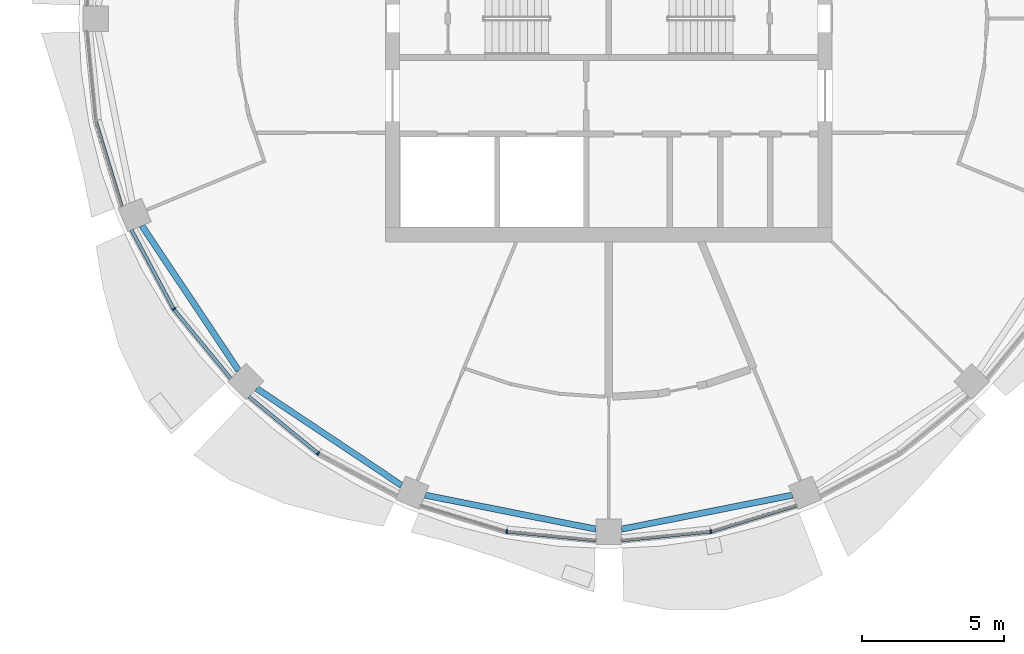
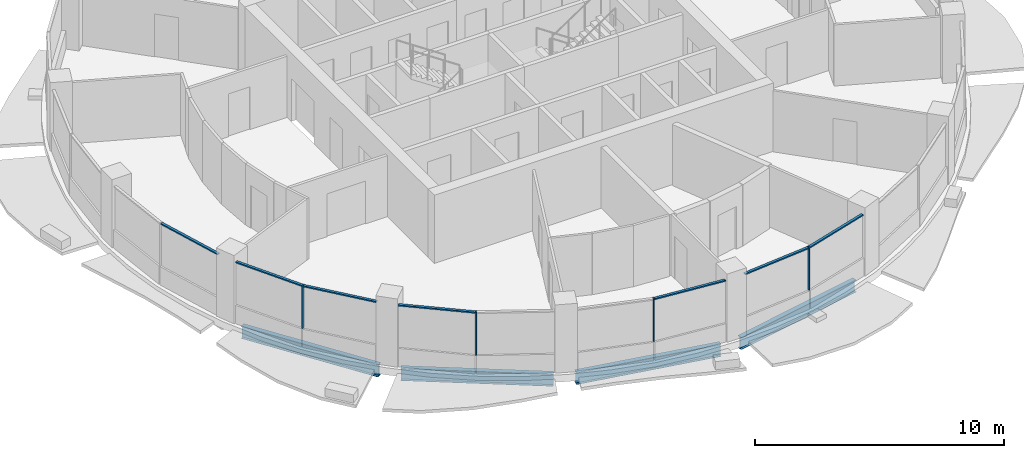
# One storey, part 2 of 15: 11 members, 4 beams, 5 elements without a shape of their own.
"""IFC4 building model written with IfcOpenShell, lengths in metres."""

from ifc_helpers import new_model, si_unit, direction, frame, origin, origin_2d, place, context, subcontext, project, spatial, rectangle, i_section, extrude, material, material_profile, profile_set, type_object, element, aggregate, save


model = new_model("IFC4")

# Units and contexts
model_context = context("Model", 3, precision=1e-05, world=origin(), true_north=direction((0.0, 1.0)))
body_context = subcontext(model_context, "Body", "Model", "MODEL_VIEW")
ifc_project = project(units=[si_unit("LENGTHUNIT", "METRE"), si_unit("AREAUNIT", "SQUARE_METRE"), si_unit("VOLUMEUNIT", "CUBIC_METRE"), si_unit("PLANEANGLEUNIT", "RADIAN"), si_unit("MASSUNIT", "GRAM", prefix="KILO")], contexts=[model_context])

# Site, building, storey
site_placement = place(None, origin())
site = spatial("IfcSite", under=ifc_project, at=site_placement, CompositionType="ELEMENT")
building_placement = place(site_placement, origin())
building = spatial("IfcBuilding", under=site, at=building_placement, Name="Polderwave Tower", CompositionType="ELEMENT")
storey_placement = place(building_placement, frame((0.0, 0.0, 167.550048828125)))
storey = spatial("IfcBuildingStorey", under=building, at=storey_placement, Name="L44", CompositionType="ELEMENT", Elevation=167.550048828125)

# Curtain wall, member
ifc_material_1 = material(Name="Aluminium 6063-T6 and glass", Category="aluminium")
curtain_wall_type = type_object("IfcCurtainWallType", Name="Office ribbon glazing wall", PredefinedType="NOTDEFINED", material=ifc_material_1)
curtain_wall_1_placement = place(storey_placement, origin())
curtain_wall_1 = element("IfcCurtainWall", 1, at=curtain_wall_1_placement, inside=storey, type_object=curtain_wall_type, Name="CW3 L44 09", PredefinedType="NOTDEFINED")
ifc_material_2 = material(Name="Aluminium 6063-T6", Category="aluminium")
ifc_material_profile_1 = material_profile(ifc_material_2, rectangle(XDim=0.139892578125, YDim=0.054931640625, at=origin_2d()), Name="AL 55x140")
ifc_profile_set_1 = profile_set([ifc_material_profile_1], Name="Aluminium 6063-T6")
member_type_1 = type_object("IfcMemberType", Name="Office ribbon glazing mullion 55x140", PredefinedType="MULLION", material=ifc_profile_set_1)
member_1_placement = place(storey_placement, frame((-15.341064453125, -10.25, 0.89990234375), z_axis=(0.0, 0.0, 1.0), x_axis=(0.831547176436, 0.555454132545, 0.0)))
member_1 = element("IfcMember", 2, at=member_1_placement, type_object=member_type_1, Name="CW3 mullion 1", PredefinedType="MULLION", context=body_context, shape_type="SweptSolid", body=[
    extrude(rectangle(XDim=0.139892578125, YDim=0.054931640625, at=origin_2d()), origin(), (0.0, 0.0, 1.0), 2.10009765625),
])

curtain_wall_2_placement = place(storey_placement, origin())
curtain_wall_2 = element("IfcCurtainWall", 3, at=curtain_wall_2_placement, inside=storey, type_object=curtain_wall_type, Name="CW3 L44 10", PredefinedType="NOTDEFINED")
member_2_placement = place(storey_placement, frame((-10.25, -15.341064453125, 0.89990234375), z_axis=(0.0, 0.0, 1.0), x_axis=(0.555454132545, 0.831547176436, 0.0)))
member_2 = element("IfcMember", 4, at=member_2_placement, type_object=member_type_1, Name="CW3 mullion 1", PredefinedType="MULLION", context=body_context, shape_type="SweptSolid", body=[
    extrude(rectangle(XDim=0.139892578125, YDim=0.054931640625, at=origin_2d()), origin(), (0.0, 0.0, 1.0), 2.10009765625),
])

curtain_wall_3_placement = place(storey_placement, origin())
curtain_wall_3 = element("IfcCurtainWall", 5, at=curtain_wall_3_placement, inside=storey, type_object=curtain_wall_type, Name="CW3 L44 11", PredefinedType="NOTDEFINED")
member_3_placement = place(storey_placement, frame((-3.59912109375, -18.094970703125, 0.89990234375), z_axis=(0.0, 0.0, 1.0), x_axis=(0.195097169184, 0.980783918392, 0.0)))
member_3 = element("IfcMember", 6, at=member_3_placement, type_object=member_type_1, Name="CW3 mullion 1", PredefinedType="MULLION", context=body_context, shape_type="SweptSolid", body=[
    extrude(rectangle(XDim=0.139892578125, YDim=0.054931640625, at=origin_2d()), origin(), (0.0, 0.0, 1.0), 2.10009765625),
])

curtain_wall_4_placement = place(storey_placement, origin())
curtain_wall_4 = element("IfcCurtainWall", 7, at=curtain_wall_4_placement, inside=storey, type_object=curtain_wall_type, Name="CW3 L44 12", PredefinedType="NOTDEFINED")
member_4_placement = place(storey_placement, frame((3.59912109375, -18.094970703125, 0.89990234375), z_axis=(0.0, 0.0, 1.0), x_axis=(-0.195097169184, 0.980783918392, 0.0)))
member_4 = element("IfcMember", 8, at=member_4_placement, type_object=member_type_1, Name="CW3 mullion 1", PredefinedType="MULLION", context=body_context, shape_type="SweptSolid", body=[
    extrude(rectangle(XDim=0.139892578125, YDim=0.054931640625, at=origin_2d()), origin(), (0.0, 0.0, 1.0), 2.10009765625),
])

curtain_wall_5_placement = place(storey_placement, origin())
curtain_wall_5 = element("IfcCurtainWall", 9, at=curtain_wall_5_placement, inside=storey, type_object=curtain_wall_type, Name="CW3 L44 08", PredefinedType="NOTDEFINED")
ifc_material_profile_2 = material_profile(ifc_material_2, rectangle(XDim=0.1201171875, YDim=0.06005859375, at=origin_2d()), Name="AL 60x120")
ifc_profile_set_2 = profile_set([ifc_material_profile_2], Name="Aluminium 6063-T6")
member_type_2 = type_object("IfcMemberType", Name="Office ribbon glazing transom 60x120", PredefinedType="USERDEFINED", material=ifc_profile_set_2)
member_5_placement = place(storey_placement, frame((-18.0869140625, -3.625244140625, 2.969970703125), z_axis=(0.29000955494, -0.957023749989, 0.0), x_axis=(0.957023749989, 0.29000955494, 0.0)))
member_5 = element("IfcMember", 10, at=member_5_placement, type_object=member_type_2, Name="CW3 transom 2", ObjectType="TRANSOM", PredefinedType="USERDEFINED", context=body_context, shape_type="SweptSolid", body=[
    extrude(rectangle(XDim=0.1201171875, YDim=0.06005859375, at=origin_2d()), origin(), (0.0, 0.0, 1.0), 3.137451171875),
])
aggregate(curtain_wall_5, [member_5])

# Member
member_6_placement = place(storey_placement, frame((-16.83203125, -7.458984375, 2.969970703125), z_axis=(0.471210255925, -0.882020915121, 0.0), x_axis=(0.882020915121, 0.471210255925, 0.0)))
member_6 = element("IfcMember", 11, at=member_6_placement, type_object=member_type_2, Name="CW3 transom 1", ObjectType="TRANSOM", PredefinedType="USERDEFINED", context=body_context, shape_type="SweptSolid", body=[
    extrude(rectangle(XDim=0.1201171875, YDim=0.06005859375, at=origin_2d()), origin(), (0.0, 0.0, 1.0), 3.13671875),
])

member_7_placement = place(storey_placement, frame((-15.323486328125, -10.271240234375, 2.969970703125), z_axis=(0.634334495686, -0.773058696079, 0.0), x_axis=(0.773058696079, 0.634334495686, 0.0)))
member_7 = element("IfcMember", 12, at=member_7_placement, type_object=member_type_2, Name="CW3 transom 2", ObjectType="TRANSOM", PredefinedType="USERDEFINED", context=body_context, shape_type="SweptSolid", body=[
    extrude(rectangle(XDim=0.1201171875, YDim=0.06005859375, at=origin_2d()), origin(), (0.0, 0.0, 1.0), 3.137939453125),
])

aggregate(curtain_wall_1, [member_1, member_6, member_7])

member_8_placement = place(storey_placement, frame((-12.697021484375, -13.3330078125, 2.969970703125), z_axis=(0.773058696079, -0.634334495686, 0.0), x_axis=(0.634334495686, 0.773058696079, 0.0)))
member_8 = element("IfcMember", 13, at=member_8_placement, type_object=member_type_2, Name="CW3 transom 1", ObjectType="TRANSOM", PredefinedType="USERDEFINED", context=body_context, shape_type="SweptSolid", body=[
    extrude(rectangle(XDim=0.1201171875, YDim=0.06005859375, at=origin_2d()), origin(), (0.0, 0.0, 1.0), 3.137939453125),
])

aggregate(curtain_wall_2, [member_2, member_8])

member_9_placement = place(storey_placement, frame((-3.571533203125, -18.09765625, 2.969970703125), z_axis=(0.995156679386, -0.098301492731, 0.0), x_axis=(0.098301492731, 0.995156679386, 0.0)))
member_9 = element("IfcMember", 14, at=member_9_placement, type_object=member_type_2, Name="CW3 transom 2", ObjectType="TRANSOM", PredefinedType="USERDEFINED", context=body_context, shape_type="SweptSolid", body=[
    extrude(rectangle(XDim=0.1201171875, YDim=0.06005859375, at=origin_2d()), origin(), (0.0, 0.0, 1.0), 3.13671875),
])

aggregate(curtain_wall_3, [member_3, member_9])

member_10_placement = place(storey_placement, frame((0.449951171875, -18.406005859375, 2.969970703125), z_axis=(0.995156679386, 0.098301492731, 0.0), x_axis=(-0.098301492731, 0.995156679386, 0.0)))
member_10 = element("IfcMember", 15, at=member_10_placement, type_object=member_type_2, Name="CW3 transom 1", ObjectType="TRANSOM", PredefinedType="USERDEFINED", context=body_context, shape_type="SweptSolid", body=[
    extrude(rectangle(XDim=0.1201171875, YDim=0.06005859375, at=origin_2d()), origin(), (0.0, 0.0, 1.0), 3.13671875),
])

member_11_placement = place(storey_placement, frame((3.625244140625, -18.0869140625, 2.969970703125), z_axis=(0.957023749989, 0.29000955494, 0.0), x_axis=(-0.29000955494, 0.957023749989, 0.0)))
member_11 = element("IfcMember", 16, at=member_11_placement, type_object=member_type_2, Name="CW3 transom 2", ObjectType="TRANSOM", PredefinedType="USERDEFINED", context=body_context, shape_type="SweptSolid", body=[
    extrude(rectangle(XDim=0.1201171875, YDim=0.06005859375, at=origin_2d()), origin(), (0.0, 0.0, 1.0), 3.137451171875),
])

aggregate(curtain_wall_4, [member_4, member_10, member_11])

# Beams
ifc_material_3 = material(Name="Steel S355", Category="steel")
ifc_material_profile_3 = material_profile(ifc_material_3, i_section(OverallWidth=0.219970703125, OverallDepth=0.60009765625, WebThickness=0.011962890625, FlangeThickness=0.01904296875, at=origin_2d()), Name="IPE 600")
ifc_profile_set_3 = profile_set([ifc_material_profile_3], Name="Steel S355")
beam_type = type_object("IfcBeamType", Name="RING BEAM IPE 600", PredefinedType="BEAM", material=ifc_profile_set_3)
for number, where, z_axis, x_axis, name in (
    (17, (-16.46728515625, -7.30810546875, -0.650146484375), (0.555570937424, -0.831469141634, 0.0), (0.831469141634, 0.555570937424, 0.0), "ST-RB-L44-09"),
    (18, (-12.417236328125, -13.053466796875, -0.650146484375), (0.831469141634, -0.555570937424, 0.0), (0.555570937424, 0.831469141634, 0.0), "ST-RB-L44-10"),
    (19, (-6.4765625, -16.811767578125, -0.650146484375), (0.980786434346, -0.195084520666, 0.0), (0.195084520666, 0.980786434346, 0.0), "ST-RB-L44-11"),
    (20, (0.449951171875, -18.010498046875, -0.650146484375), (0.980786434346, 0.195084520666, 0.0), (-0.195084520666, 0.980786434346, 0.0), "ST-RB-L44-12"),
):
    element("IfcBeam", number, at=place(storey_placement, frame(where, z_axis=z_axis, x_axis=x_axis)), inside=storey, type_object=beam_type, Name=name, PredefinedType="BEAM", context=body_context, shape_type="SweptSolid", body=[
        extrude(i_section(OverallWidth=0.219970703125, OverallDepth=0.60009765625, WebThickness=0.011962890625, FlangeThickness=0.01904296875, at=origin_2d()), origin(), (0.0, 0.0, 1.0), 6.144775390625),
    ])

save(model, "model.ifc")
